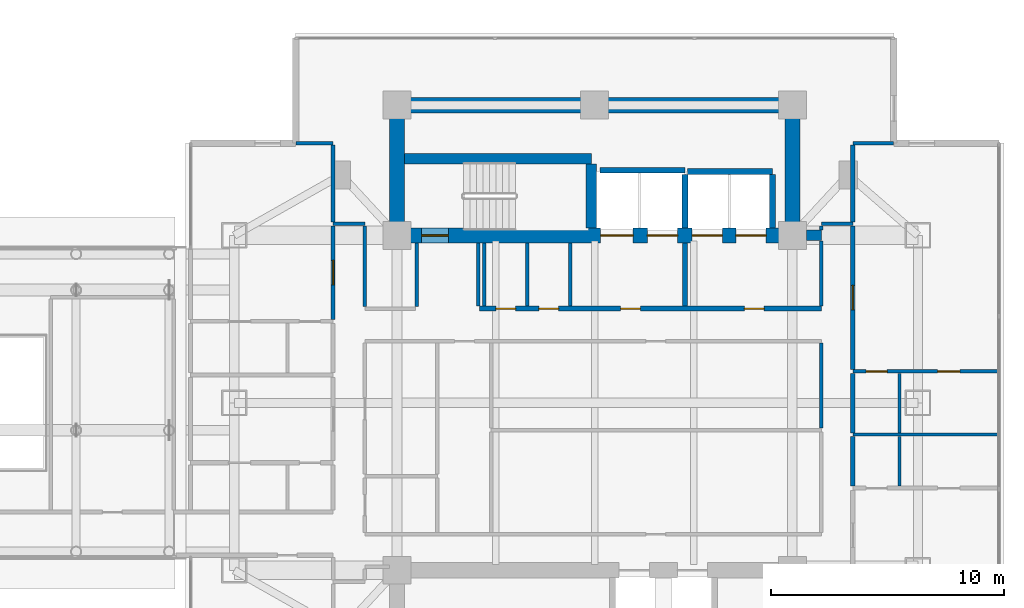
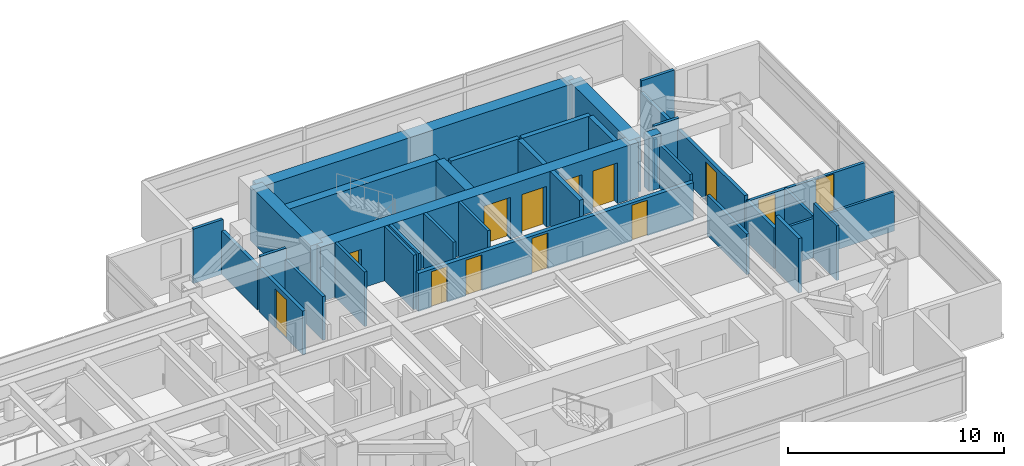
# One storey, part 21 of 28: 36 walls, 13 doors, 13 openings.
"""IFC4 building model written with IfcOpenShell, lengths in metres."""

from ifc_helpers import new_model, si_unit, direction, frame, frame_2d, origin, place, context, subcontext, project, spatial, rectangle, extrude, material, layer, layer_set, type_object, element, fill, save


model = new_model("IFC4")

# Units and contexts
model_context = context("Model", 3, precision=1e-05, world=origin(), true_north=direction((0.0, 1.0)))
body_context = subcontext(model_context, "Body", "Model", "MODEL_VIEW")
ifc_project = project(units=[si_unit("LENGTHUNIT", "METRE"), si_unit("AREAUNIT", "SQUARE_METRE"), si_unit("VOLUMEUNIT", "CUBIC_METRE"), si_unit("PLANEANGLEUNIT", "RADIAN"), si_unit("MASSUNIT", "GRAM", prefix="KILO")], contexts=[model_context])

# Site, building, storey
site_placement = place(None, origin())
site = spatial("IfcSite", under=ifc_project, at=site_placement, CompositionType="ELEMENT")
building_placement = place(site_placement, origin())
building = spatial("IfcBuilding", under=site, at=building_placement, Name="Mirazonda Arch Towers", CompositionType="ELEMENT")
storey_placement = place(building_placement, frame((0.0, 0.0, 91.699951171875)))
storey = spatial("IfcBuildingStorey", under=building, at=storey_placement, Name="L25", CompositionType="ELEMENT", Elevation=91.699951171875)

# Walls
ifc_material_1 = material(Name="Concrete C50/60", Category="concrete")
ifc_layer_1 = layer(ifc_material_1, 0.449951171875, Name="WALL-CORE-450")
ifc_layer_set_1 = layer_set([ifc_layer_1], Name="Concrete C50/60")
wall_type_1 = type_object("IfcWallType", Name="WALL-CORE-450", PredefinedType="SHEAR", material=ifc_layer_set_1)
wall_1_placement = place(storey_placement, frame((85.614990234375, 35.199951171875, 0.0), z_axis=(0.0, 0.0, 1.0), x_axis=(1.0, 0.0, 0.0)))
element("IfcWall", 1, at=wall_1_placement, inside=storey, type_object=wall_type_1, Name="L25 Stair Core Shear Wall 051", PredefinedType="SHEAR", context=body_context, shape_type="SweptSolid", body=[
    extrude(rectangle(XDim=0.635009765625, YDim=0.449951171875, at=frame_2d((0.3173828125, 0.0))), origin(), (0.0, 0.0, 1.0), 3.080078125),
])
wall_2_placement = place(storey_placement, frame((68.320068359375, 38.5, 0.0), z_axis=(0.0, 0.0, 1.0), x_axis=(1.0, 0.0, 0.0)))
element("IfcWall", 2, at=wall_2_placement, inside=storey, type_object=wall_type_1, Name="L25 Stair Core Shear Wall 056", PredefinedType="SHEAR", context=body_context, shape_type="SweptSolid", body=[
    extrude(rectangle(XDim=8.0400390625, YDim=0.449951171875, at=frame_2d((4.02001953125, 0.0))), origin(), (0.0, 0.0, 1.0), 3.080078125),
])
wall_3_placement = place(storey_placement, frame((76.360107421875, 35.52001953125, 0.0), z_axis=(0.0, 0.0, 1.0), x_axis=(0.0, 1.0, 0.0)))
element("IfcWall", 3, at=wall_3_placement, inside=storey, type_object=wall_type_1, Name="L25 Stair Core Shear Wall 156", PredefinedType="SHEAR", context=body_context, shape_type="SweptSolid", body=[
    extrude(rectangle(XDim=2.744873046875, YDim=0.449951171875, at=frame_2d((1.37255859375, 0.0))), origin(), (0.0, 0.0, 1.0), 3.080078125),
])
ifc_material_2 = material(Name="Concrete C60/75", Category="concrete")
ifc_layer_2 = layer(ifc_material_2, 0.64990234375, Name="WALL-CORE-650")
ifc_layer_set_2 = layer_set([ifc_layer_2], Name="Concrete C60/75")
wall_type_2 = type_object("IfcWallType", Name="WALL-CORE-650", PredefinedType="SHEAR", material=ifc_layer_set_2)
wall_4_placement = place(storey_placement, frame((68.0, 40.800048828125, 0.0), z_axis=(0.0, 0.0, 1.0), x_axis=(1.0, 0.0, 0.0)))
element("IfcWall", 4, at=wall_4_placement, inside=storey, type_object=wall_type_2, Name="L25 T2N-N Core Shear Wall", PredefinedType="SHEAR", context=body_context, shape_type="SweptSolid", body=[
    extrude(rectangle(XDim=17.0, YDim=0.64990234375, at=frame_2d((8.5, 0.0))), origin(), (0.0, 0.0, 1.0), 3.080078125),
])
for number, where, z_axis, x_axis, name in (
    (5, (68.0, 35.199951171875, 0.0), (0.0, 0.0, 1.0), (0.0, 1.0, 0.0), "L25 T2N-W Core Shear Wall"),
    (6, (85.0, 35.199951171875, 0.0), (0.0, 0.0, 1.0), (0.0, 1.0, 0.0), "L25 T2N-E Core Shear Wall"),
):
    element("IfcWall", number, at=place(storey_placement, frame(where, z_axis=z_axis, x_axis=x_axis)), inside=storey, type_object=wall_type_2, Name=name, PredefinedType="SHEAR", context=body_context, shape_type="SweptSolid", body=[
        extrude(rectangle(XDim=5.60009765625, YDim=0.64990234375, at=frame_2d((2.800048828125, 0.0))), origin(), (0.0, 0.0, 1.0), 3.080078125),
    ])

# Wall, openings, doors
wall_5_placement = place(storey_placement, frame((68.0, 35.199951171875, 0.0), z_axis=(0.0, 0.0, 1.0), x_axis=(1.0, 0.0, 0.0)))
wall_5 = element("IfcWall", 7, at=wall_5_placement, inside=storey, type_object=wall_type_2, Name="L25 T2N-S Core Shear Wall", PredefinedType="SHEAR", context=body_context, shape_type="SweptSolid", body=[
    extrude(rectangle(XDim=17.0, YDim=0.64990234375, at=frame_2d((8.5, 0.0))), origin(), (0.0, 0.0, 1.0), 3.080078125),
])
opening_1_placement = place(wall_5_placement, frame((1.06005859375, 0.0, 0.0)))
opening_1 = element("IfcOpeningElement", 8, at=opening_1_placement, cuts=wall_5, Name="Opening DR-135", PredefinedType="OPENING", context=body_context, shape_type="SweptSolid", body=[
    extrude(rectangle(XDim=1.14990234375, YDim=2.199951171875, at=frame_2d((0.574951171875, 1.10009765625))), frame((0.0, 0.3349609375, 0.0), z_axis=(0.0, -1.0, 0.0), x_axis=(1.0, 0.0, 0.0)), (0.0, 0.0, 1.0), 0.669921875),
])
opening_2_placement = place(wall_5_placement, frame((8.75, 0.0, 0.0)))
opening_2 = element("IfcOpeningElement", 9, at=opening_2_placement, cuts=wall_5, Name="Opening LD-112", PredefinedType="OPENING", context=body_context, shape_type="SweptSolid", body=[
    extrude(rectangle(XDim=1.39990234375, YDim=2.35009765625, at=frame_2d((0.699951171875, 1.175048828125))), frame((0.0, 0.3349609375, 0.0), z_axis=(0.0, -1.0, 0.0), x_axis=(1.0, 0.0, 0.0)), (0.0, 0.0, 1.0), 0.669921875),
])
opening_3_placement = place(wall_5_placement, frame((10.77001953125, 0.0, 0.0)))
opening_3 = element("IfcOpeningElement", 10, at=opening_3_placement, cuts=wall_5, Name="Opening LD-111", PredefinedType="OPENING", context=body_context, shape_type="SweptSolid", body=[
    extrude(rectangle(XDim=1.300048828125, YDim=2.300048828125, at=frame_2d((0.64990234375, 1.14990234375))), frame((0.0, 0.3349609375, 0.0), z_axis=(0.0, -1.0, 0.0), x_axis=(1.0, 0.0, 0.0)), (0.0, 0.0, 1.0), 0.669921875),
])
opening_4_placement = place(wall_5_placement, frame((12.68994140625, 0.0, 0.0)))
opening_4 = element("IfcOpeningElement", 11, at=opening_4_placement, cuts=wall_5, Name="Opening LD-111", PredefinedType="OPENING", context=body_context, shape_type="SweptSolid", body=[
    extrude(rectangle(XDim=1.300048828125, YDim=2.300048828125, at=frame_2d((0.64990234375, 1.14990234375))), frame((0.0, 0.3349609375, 0.0), z_axis=(0.0, -1.0, 0.0), x_axis=(1.0, 0.0, 0.0)), (0.0, 0.0, 1.0), 0.669921875),
])
opening_5_placement = place(wall_5_placement, frame((14.570068359375, 0.0, 0.0)))
opening_5 = element("IfcOpeningElement", 12, at=opening_5_placement, cuts=wall_5, Name="Opening LD-111", PredefinedType="OPENING", context=body_context, shape_type="SweptSolid", body=[
    extrude(rectangle(XDim=1.300048828125, YDim=2.300048828125, at=frame_2d((0.64990234375, 1.14990234375))), frame((0.0, 0.3349609375, 0.0), z_axis=(0.0, -1.0, 0.0), x_axis=(1.0, 0.0, 0.0)), (0.0, 0.0, 1.0), 0.669921875),
])
ifc_material_3 = material(Name="Architectural Brushed Steel S355", Category="steel")
door_type_1 = type_object("IfcDoorType", Name="DOOR-LIFT-FFL-1400", OperationType="NOTDEFINED", PredefinedType="DOOR", material=ifc_material_3)
door_1_placement = place(opening_2_placement, origin())
door_1 = element("IfcDoor", 13, at=door_1_placement, inside=storey, type_object=door_type_1, Name="L25 Lift Landing Sliding Door FFL-T2", OperationType="DOUBLE_DOOR_SLIDING", OverallHeight=2.35009765625, OverallWidth=1.39990234375, PredefinedType="DOOR", context=body_context, shape_type="SweptSolid", body=[
    extrude(rectangle(XDim=1.39990234375, YDim=2.35009765625, at=frame_2d((0.699951171875, 1.175048828125))), frame((0.0, 0.02490234375, 0.0), z_axis=(0.0, -1.0, 0.0), x_axis=(1.0, 0.0, 0.0)), (0.0, 0.0, 1.0), 0.050048828125),
])
fill(opening_2, door_1)
door_type_2 = type_object("IfcDoorType", Name="DOOR-LIFT-LAND-1300", OperationType="NOTDEFINED", PredefinedType="DOOR", material=ifc_material_3)
door_2_placement = place(opening_3_placement, origin())
door_2 = element("IfcDoor", 14, at=door_2_placement, inside=storey, type_object=door_type_2, Name="L25 Lift Landing Sliding Door SVL-T2", OperationType="DOUBLE_DOOR_SLIDING", OverallHeight=2.300048828125, OverallWidth=1.300048828125, PredefinedType="DOOR", context=body_context, shape_type="SweptSolid", body=[
    extrude(rectangle(XDim=1.300048828125, YDim=2.300048828125, at=frame_2d((0.64990234375, 1.14990234375))), frame((0.0, 0.02490234375, 0.0), z_axis=(0.0, -1.0, 0.0), x_axis=(1.0, 0.0, 0.0)), (0.0, 0.0, 1.0), 0.050048828125),
])
fill(opening_3, door_2)
door_3_placement = place(opening_4_placement, origin())
door_3 = element("IfcDoor", 15, at=door_3_placement, inside=storey, type_object=door_type_2, Name="L25 Lift Landing Sliding Door PL-T2L1", OperationType="DOUBLE_DOOR_SLIDING", OverallHeight=2.300048828125, OverallWidth=1.300048828125, PredefinedType="DOOR", context=body_context, shape_type="SweptSolid", body=[
    extrude(rectangle(XDim=1.300048828125, YDim=2.300048828125, at=frame_2d((0.64990234375, 1.14990234375))), frame((0.0, 0.02490234375, 0.0), z_axis=(0.0, -1.0, 0.0), x_axis=(1.0, 0.0, 0.0)), (0.0, 0.0, 1.0), 0.050048828125),
])
fill(opening_4, door_3)
door_4_placement = place(opening_5_placement, origin())
door_4 = element("IfcDoor", 16, at=door_4_placement, inside=storey, type_object=door_type_2, Name="L25 Lift Landing Sliding Door PL-T2L2", OperationType="DOUBLE_DOOR_SLIDING", OverallHeight=2.300048828125, OverallWidth=1.300048828125, PredefinedType="DOOR", context=body_context, shape_type="SweptSolid", body=[
    extrude(rectangle(XDim=1.300048828125, YDim=2.300048828125, at=frame_2d((0.64990234375, 1.14990234375))), frame((0.0, 0.02490234375, 0.0), z_axis=(0.0, -1.0, 0.0), x_axis=(1.0, 0.0, 0.0)), (0.0, 0.0, 1.0), 0.050048828125),
])
fill(opening_5, door_4)
door_type_3 = type_object("IfcDoorType", Name="DOOR-STAIR-FD90-1150", OperationType="NOTDEFINED", PredefinedType="DOOR", material=ifc_material_3)
door_5_placement = place(opening_1_placement, origin())
door_5 = element("IfcDoor", 17, at=door_5_placement, inside=storey, type_object=door_type_3, Name="L25 East Protected Stair North Door", OperationType="SINGLE_SWING_LEFT", OverallHeight=2.199951171875, OverallWidth=1.14990234375, PredefinedType="DOOR", context=body_context, shape_type="SweptSolid", body=[
    extrude(rectangle(XDim=1.14990234375, YDim=2.199951171875, at=frame_2d((0.574951171875, 1.10009765625))), frame((0.0, 0.02490234375, 0.0), z_axis=(0.0, -1.0, 0.0), x_axis=(1.0, 0.0, 0.0)), (0.0, 0.0, 1.0), 0.050048828125),
])
fill(opening_1, door_5)

ifc_material_4 = material(Name="Concrete C40/50", Category="concrete")
ifc_layer_3 = layer(ifc_material_4, 0.219970703125, Name="WALL-FFL-220")
ifc_layer_set_3 = layer_set([ifc_layer_3], Name="Concrete C40/50")
wall_type_3 = type_object("IfcWallType", Name="WALL-FFL-220", PredefinedType="SOLIDWALL", material=ifc_layer_set_3)
wall_6_placement = place(storey_placement, frame((71.550048828125, 32.050048828125, 0.0), z_axis=(0.0, 0.0, 1.0), x_axis=(1.0, 0.0, 0.0)))
wall_6 = element("IfcWall", 18, at=wall_6_placement, inside=storey, type_object=wall_type_3, Name="L25 Interior Partition 042", PredefinedType="SOLIDWALL", context=body_context, shape_type="SweptSolid", body=[
    extrude(rectangle(XDim=14.699951171875, YDim=0.219970703125, at=frame_2d((7.35009765625, 0.0))), origin(), (0.0, 0.0, 1.0), 2.14501953125),
])
opening_6_placement = place(wall_6_placement, frame((11.389892578125, 0.0, 0.0)))
opening_6 = element("IfcOpeningElement", 19, at=opening_6_placement, cuts=wall_6, Name="Opening DR-128", PredefinedType="OPENING", context=body_context, shape_type="SweptSolid", body=[
    extrude(rectangle(XDim=0.85009765625, YDim=2.010009765625, at=frame_2d((0.425048828125, 1.0048828125))), frame((0.0, 0.119873046875, 0.0), z_axis=(0.0, -1.0, 0.0), x_axis=(1.0, 0.0, 0.0)), (0.0, 0.0, 1.0), 0.239990234375),
])
opening_7_placement = place(wall_6_placement, frame((6.06494140625, 0.0, 0.0)))
opening_7 = element("IfcOpeningElement", 20, at=opening_7_placement, cuts=wall_6, Name="Opening DR-128", PredefinedType="OPENING", context=body_context, shape_type="SweptSolid", body=[
    extrude(rectangle(XDim=0.85009765625, YDim=2.010009765625, at=frame_2d((0.425048828125, 1.0048828125))), frame((0.0, 0.119873046875, 0.0), z_axis=(0.0, -1.0, 0.0), x_axis=(1.0, 0.0, 0.0)), (0.0, 0.0, 1.0), 0.239990234375),
])
opening_8_placement = place(wall_6_placement, frame((0.699951171875, 0.0, 0.0)))
opening_8 = element("IfcOpeningElement", 21, at=opening_8_placement, cuts=wall_6, Name="Opening DR-128", PredefinedType="OPENING", context=body_context, shape_type="SweptSolid", body=[
    extrude(rectangle(XDim=0.85009765625, YDim=2.010009765625, at=frame_2d((0.425048828125, 1.0048828125))), frame((0.0, 0.119873046875, 0.0), z_axis=(0.0, -1.0, 0.0), x_axis=(1.0, 0.0, 0.0)), (0.0, 0.0, 1.0), 0.239990234375),
])
opening_9_placement = place(wall_6_placement, frame((2.550048828125, 0.0, 0.0)))
opening_9 = element("IfcOpeningElement", 22, at=opening_9_placement, cuts=wall_6, Name="Opening DR-128", PredefinedType="OPENING", context=body_context, shape_type="SweptSolid", body=[
    extrude(rectangle(XDim=0.85009765625, YDim=2.010009765625, at=frame_2d((0.425048828125, 1.0048828125))), frame((0.0, 0.119873046875, 0.0), z_axis=(0.0, -1.0, 0.0), x_axis=(1.0, 0.0, 0.0)), (0.0, 0.0, 1.0), 0.239990234375),
])
door_type_4 = type_object("IfcDoorType", Name="DOOR-RISER-FD60-850", OperationType="NOTDEFINED", PredefinedType="DOOR", material=ifc_material_3)
door_6_placement = place(opening_6_placement, origin())
door_6 = element("IfcDoor", 23, at=door_6_placement, inside=storey, type_object=door_type_4, Name="L25 East Passenger Lift Lobby Door", OperationType="SINGLE_SWING_RIGHT", OverallHeight=2.010009765625, OverallWidth=0.85009765625, PredefinedType="DOOR", context=body_context, shape_type="SweptSolid", body=[
    extrude(rectangle(XDim=0.85009765625, YDim=2.010009765625, at=frame_2d((0.425048828125, 1.0048828125))), frame((0.0, 0.02490234375, 0.0), z_axis=(0.0, -1.0, 0.0), x_axis=(1.0, 0.0, 0.0)), (0.0, 0.0, 1.0), 0.050048828125),
])
fill(opening_6, door_6)
door_7_placement = place(opening_7_placement, origin())
door_7 = element("IfcDoor", 24, at=door_7_placement, inside=storey, type_object=door_type_4, Name="L25 East Firefighting Lift Lobby Door", OperationType="SINGLE_SWING_RIGHT", OverallHeight=2.010009765625, OverallWidth=0.85009765625, PredefinedType="DOOR", context=body_context, shape_type="SweptSolid", body=[
    extrude(rectangle(XDim=0.85009765625, YDim=2.010009765625, at=frame_2d((0.425048828125, 1.0048828125))), frame((0.0, 0.02490234375, 0.0), z_axis=(0.0, -1.0, 0.0), x_axis=(1.0, 0.0, 0.0)), (0.0, 0.0, 1.0), 0.050048828125),
])
fill(opening_7, door_7)
door_8_placement = place(opening_8_placement, origin())
door_8 = element("IfcDoor", 25, at=door_8_placement, inside=storey, type_object=door_type_4, Name="L25 Tower 2 Electrical Room Door", OperationType="SINGLE_SWING_LEFT", OverallHeight=2.010009765625, OverallWidth=0.85009765625, PredefinedType="DOOR", context=body_context, shape_type="SweptSolid", body=[
    extrude(rectangle(XDim=0.85009765625, YDim=2.010009765625, at=frame_2d((0.425048828125, 1.0048828125))), frame((0.0, 0.02490234375, 0.0), z_axis=(0.0, -1.0, 0.0), x_axis=(1.0, 0.0, 0.0)), (0.0, 0.0, 1.0), 0.050048828125),
])
fill(opening_8, door_8)
door_9_placement = place(opening_9_placement, origin())
door_9 = element("IfcDoor", 26, at=door_9_placement, inside=storey, type_object=door_type_4, Name="L25 Tower 2 Cleaners Store Door", OperationType="SINGLE_SWING_RIGHT", OverallHeight=2.010009765625, OverallWidth=0.85009765625, PredefinedType="DOOR", context=body_context, shape_type="SweptSolid", body=[
    extrude(rectangle(XDim=0.85009765625, YDim=2.010009765625, at=frame_2d((0.425048828125, 1.0048828125))), frame((0.0, 0.02490234375, 0.0), z_axis=(0.0, -1.0, 0.0), x_axis=(1.0, 0.0, 0.0)), (0.0, 0.0, 1.0), 0.050048828125),
])
fill(opening_9, door_9)

# Wall
wall_7_placement = place(storey_placement, frame((80.3798828125, 32.169921875, 0.0), z_axis=(0.0, 0.0, 1.0), x_axis=(0.0, 1.0, 0.0)))
element("IfcWall", 27, at=wall_7_placement, inside=storey, type_object=wall_type_3, Name="L25 Interior Partition 158", PredefinedType="SOLIDWALL", context=body_context, shape_type="SweptSolid", body=[
    extrude(rectangle(XDim=2.7099609375, YDim=0.219970703125, at=frame_2d((1.35498046875, 0.0))), origin(), (0.0, 0.0, 1.0), 3.080078125),
])

# Wall, openings, doors
ifc_material_5 = material(Name="Fire-Rated Gypsum Stud Partition")
ifc_layer_4 = layer(ifc_material_5, 0.14990234375, Name="WALL-PART-CORR-150")
ifc_layer_set_4 = layer_set([ifc_layer_4], Name="Fire-Rated Gypsum Stud Partition")
wall_type_4 = type_object("IfcWallType", Name="WALL-PART-CORR-150", PredefinedType="PARTITIONING", material=ifc_layer_set_4)
wall_8_placement = place(storey_placement, frame((87.60009765625, 29.35205078125, 0.0), z_axis=(0.0, 0.0, 1.0), x_axis=(1.0, 0.0, 0.0)))
wall_8 = element("IfcWall", 28, at=wall_8_placement, inside=storey, type_object=wall_type_4, Name="L25 Interior Partition 036", PredefinedType="PARTITIONING", context=body_context, shape_type="SweptSolid", body=[
    extrude(rectangle(XDim=6.27978515625, YDim=0.14990234375, at=frame_2d((3.139892578125, 0.0))), origin(), (0.0, 0.0, 1.0), 2.216064453125),
])
opening_10_placement = place(wall_8_placement, frame((3.64990234375, 0.0, 0.0)))
opening_10 = element("IfcOpeningElement", 29, at=opening_10_placement, cuts=wall_8, Name="Opening DR-104", PredefinedType="OPENING", context=body_context, shape_type="SweptSolid", body=[
    extrude(rectangle(XDim=0.949951171875, YDim=2.14990234375, at=frame_2d((0.47509765625, 1.074951171875))), frame((0.0, 0.0849609375, 0.0), z_axis=(0.0, -1.0, 0.0), x_axis=(1.0, 0.0, 0.0)), (0.0, 0.0, 1.0), 0.169921875),
])
opening_11_placement = place(wall_8_placement, frame((0.574951171875, 0.0, 0.0)))
opening_11 = element("IfcOpeningElement", 30, at=opening_11_placement, cuts=wall_8, Name="Opening DR-120", PredefinedType="OPENING", context=body_context, shape_type="SweptSolid", body=[
    extrude(rectangle(XDim=0.89990234375, YDim=2.10009765625, at=frame_2d((0.449951171875, 1.050048828125))), frame((0.0, 0.0849609375, 0.0), z_axis=(0.0, -1.0, 0.0), x_axis=(1.0, 0.0, 0.0)), (0.0, 0.0, 1.0), 0.169921875),
])
door_type_5 = type_object("IfcDoorType", Name="DOOR-ROOM-950", OperationType="NOTDEFINED", PredefinedType="DOOR", material=ifc_material_3)
door_10_placement = place(opening_10_placement, origin())
door_10 = element("IfcDoor", 31, at=door_10_placement, inside=storey, type_object=door_type_5, Name="L25 Suite Bedroom 2 Door", OperationType="SINGLE_SWING_LEFT", OverallHeight=2.14990234375, OverallWidth=0.949951171875, PredefinedType="DOOR", context=body_context, shape_type="SweptSolid", body=[
    extrude(rectangle(XDim=0.949951171875, YDim=2.14990234375, at=frame_2d((0.47509765625, 1.074951171875))), frame((0.0, 0.02490234375, 0.0), z_axis=(0.0, -1.0, 0.0), x_axis=(1.0, 0.0, 0.0)), (0.0, 0.0, 1.0), 0.050048828125),
])
fill(opening_10, door_10)
door_type_6 = type_object("IfcDoorType", Name="DOOR-WC-900", OperationType="NOTDEFINED", PredefinedType="DOOR", material=ifc_material_3)
door_11_placement = place(opening_11_placement, origin())
door_11 = element("IfcDoor", 32, at=door_11_placement, inside=storey, type_object=door_type_6, Name="L25 Suite En-Suite Bathroom 2 Door", OperationType="SINGLE_SWING_RIGHT", OverallHeight=2.10009765625, OverallWidth=0.89990234375, PredefinedType="DOOR", context=body_context, shape_type="SweptSolid", body=[
    extrude(rectangle(XDim=0.89990234375, YDim=2.10009765625, at=frame_2d((0.449951171875, 1.050048828125))), frame((0.0, 0.02490234375, 0.0), z_axis=(0.0, -1.0, 0.0), x_axis=(1.0, 0.0, 0.0)), (0.0, 0.0, 1.0), 0.050048828125),
])
fill(opening_11, door_11)

# Walls
wall_9_placement = place(storey_placement, frame((65.25, 35.699951171875, 0.0), z_axis=(0.0, 0.0, 1.0), x_axis=(1.0, 0.0, 0.0)))
element("IfcWall", 33, at=wall_9_placement, inside=storey, type_object=wall_type_4, Name="L25 Interior Partition 052", PredefinedType="PARTITIONING", context=body_context, shape_type="SweptSolid", body=[
    extrude(rectangle(XDim=1.3701171875, YDim=0.14990234375, at=frame_2d((0.68505859375, 0.0))), origin(), (0.0, 0.0, 1.0), 3.080078125),
])
wall_10_placement = place(storey_placement, frame((86.25, 35.699951171875, 0.0), z_axis=(0.0, 0.0, 1.0), x_axis=(1.0, 0.0, 0.0)))
element("IfcWall", 34, at=wall_10_placement, inside=storey, type_object=wall_type_4, Name="L25 Interior Partition 053", PredefinedType="PARTITIONING", context=body_context, shape_type="SweptSolid", body=[
    extrude(rectangle(XDim=1.35009765625, YDim=0.14990234375, at=frame_2d((0.675048828125, 0.0))), origin(), (0.0, 0.0, 1.0), 3.080078125),
])
wall_11_placement = place(storey_placement, frame((63.65576171875, 39.1640625, 0.0), z_axis=(0.0, 0.0, 1.0), x_axis=(1.0, 0.0, 0.0)))
element("IfcWall", 35, at=wall_11_placement, inside=storey, type_object=wall_type_4, Name="L25 Interior Partition 057", PredefinedType="PARTITIONING", context=body_context, shape_type="SweptSolid", body=[
    extrude(rectangle(XDim=1.59423828125, YDim=0.14990234375, at=frame_2d((0.797119140625, 0.0))), origin(), (0.0, 0.0, 1.0), 3.080078125),
])
wall_12_placement = place(storey_placement, frame((87.60009765625, 39.1640625, 0.0), z_axis=(0.0, 0.0, 1.0), x_axis=(1.0, 0.0, 0.0)))
element("IfcWall", 36, at=wall_12_placement, inside=storey, type_object=wall_type_4, Name="L25 Interior Partition 058", PredefinedType="PARTITIONING", context=body_context, shape_type="SweptSolid", body=[
    extrude(rectangle(XDim=1.744140625, YDim=0.14990234375, at=frame_2d((0.8720703125, 0.0))), origin(), (0.0, 0.0, 1.0), 3.080078125),
])
wall_13_placement = place(storey_placement, frame((66.6201171875, 32.135009765625, 0.0), z_axis=(0.0, 0.0, 1.0), x_axis=(0.0, 1.0, 0.0)))
element("IfcWall", 37, at=wall_13_placement, inside=storey, type_object=wall_type_4, Name="L25 Interior Partition 145", PredefinedType="PARTITIONING", context=body_context, shape_type="SweptSolid", body=[
    extrude(rectangle(XDim=3.47998046875, YDim=0.14990234375, at=frame_2d((1.739990234375, 0.0))), origin(), (0.0, 0.0, 1.0), 2.47216796875),
])
wall_14_placement = place(storey_placement, frame((68.85009765625, 32.135009765625, 0.0), z_axis=(0.0, 0.0, 1.0), x_axis=(0.0, 1.0, 0.0)))
element("IfcWall", 38, at=wall_14_placement, inside=storey, type_object=wall_type_4, Name="L25 Interior Partition 146", PredefinedType="PARTITIONING", context=body_context, shape_type="SweptSolid", body=[
    extrude(rectangle(XDim=2.744873046875, YDim=0.14990234375, at=frame_2d((1.37255859375, 0.0))), origin(), (0.0, 0.0, 1.0), 3.080078125),
])
for number, where, z_axis, x_axis, name in (
    (39, (71.5, 32.169921875, 0.0), (0.0, 0.0, 1.0), (0.0, 1.0, 0.0), "L25 Interior Partition 149"),
    (40, (71.75, 32.169921875, 0.0), (0.0, 0.0, 1.0), (0.0, 1.0, 0.0), "L25 Interior Partition 150"),
    (41, (73.60009765625, 32.169921875, 0.0), (0.0, 0.0, 1.0), (0.0, 1.0, 0.0), "L25 Interior Partition 153"),
    (42, (75.449951171875, 32.169921875, 0.0), (0.0, 0.0, 1.0), (0.0, 1.0, 0.0), "L25 Interior Partition 154"),
):
    element("IfcWall", number, at=place(storey_placement, frame(where, z_axis=z_axis, x_axis=x_axis)), inside=storey, type_object=wall_type_4, Name=name, PredefinedType="PARTITIONING", context=body_context, shape_type="SweptSolid", body=[
        extrude(rectangle(XDim=2.7099609375, YDim=0.14990234375, at=frame_2d((1.35498046875, 0.0))), origin(), (0.0, 0.0, 1.0), 3.080078125),
    ])
wall_15_placement = place(storey_placement, frame((86.25, 26.9169921875, 0.0), z_axis=(0.0, 0.0, 1.0), x_axis=(0.0, 1.0, 0.0)))
element("IfcWall", 43, at=wall_15_placement, inside=storey, type_object=wall_type_4, Name="L25 Interior Partition 164", PredefinedType="PARTITIONING", context=body_context, shape_type="SweptSolid", body=[
    extrude(rectangle(XDim=3.64794921875, YDim=0.14990234375, at=frame_2d((1.823974609375, 0.0))), origin(), (0.0, 0.0, 1.0), 2.299072265625),
])
wall_16_placement = place(storey_placement, frame((86.25, 32.169921875, 0.0), z_axis=(0.0, 0.0, 1.0), x_axis=(0.0, 1.0, 0.0)))
element("IfcWall", 44, at=wall_16_placement, inside=storey, type_object=wall_type_4, Name="L25 Interior Partition 165", PredefinedType="PARTITIONING", context=body_context, shape_type="SweptSolid", body=[
    extrude(rectangle(XDim=2.795166015625, YDim=0.14990234375, at=frame_2d((1.3974609375, 0.0))), origin(), (0.0, 0.0, 1.0), 2.47216796875),
])
wall_17_placement = place(storey_placement, frame((86.25, 35.43505859375, 0.0), z_axis=(0.0, 0.0, 1.0), x_axis=(0.0, 1.0, 0.0)))
element("IfcWall", 45, at=wall_17_placement, inside=storey, type_object=wall_type_4, Name="L25 Interior Partition 166", PredefinedType="PARTITIONING", context=body_context, shape_type="SweptSolid", body=[
    extrude(rectangle(XDim=0.179931640625, YDim=0.14990234375, at=frame_2d((0.08984375, 0.0))), origin(), (0.0, 0.0, 1.0), 2.47216796875),
])

# Wall, opening, door
ifc_material_6 = material(Name="Fire-Rated Gypsum Twin-Stud Assembly")
ifc_layer_5 = layer(ifc_material_6, 0.179931640625, Name="WALL-PART-DEMISE-180")
ifc_layer_set_5 = layer_set([ifc_layer_5], Name="Fire-Rated Gypsum Twin-Stud Assembly")
wall_type_5 = type_object("IfcWallType", Name="WALL-PART-DEMISE-180", PredefinedType="PARTITIONING", material=ifc_layer_set_5)
wall_18_placement = place(storey_placement, frame((65.25, 31.5849609375, 0.0), z_axis=(0.0, 0.0, 1.0), x_axis=(0.0, 1.0, 0.0)))
wall_18 = element("IfcWall", 46, at=wall_18_placement, inside=storey, type_object=wall_type_5, Name="L25 Interior Partition 140", PredefinedType="PARTITIONING", context=body_context, shape_type="SweptSolid", body=[
    extrude(rectangle(XDim=4.030029296875, YDim=0.179931640625, at=frame_2d((2.01513671875, 0.0))), origin(), (0.0, 0.0, 1.0), 2.47216796875),
])
opening_12_placement = place(wall_18_placement, frame((1.489990234375, 0.0, 0.0)))
opening_12 = element("IfcOpeningElement", 47, at=opening_12_placement, cuts=wall_18, Name="Opening DR-121", PredefinedType="OPENING", context=body_context, shape_type="SweptSolid", body=[
    extrude(rectangle(XDim=1.050048828125, YDim=2.199951171875, at=frame_2d((0.52490234375, 1.10009765625))), frame((0.0, 0.099853515625, 0.0), z_axis=(0.0, -1.0, 0.0), x_axis=(1.0, 0.0, 0.0)), (0.0, 0.0, 1.0), 0.199951171875),
])
door_type_7 = type_object("IfcDoorType", Name="DOOR-SUITE-FD60-1050", OperationType="NOTDEFINED", PredefinedType="DOOR", material=ifc_material_3)
door_12_placement = place(opening_12_placement, origin())
door_12 = element("IfcDoor", 48, at=door_12_placement, inside=storey, type_object=door_type_7, Name="L25 Twin Hotel Guestroom 2 Door", OperationType="SINGLE_SWING_RIGHT", OverallHeight=2.199951171875, OverallWidth=1.050048828125, PredefinedType="DOOR", context=body_context, shape_type="SweptSolid", body=[
    extrude(rectangle(XDim=1.050048828125, YDim=2.199951171875, at=frame_2d((0.52490234375, 1.10009765625))), frame((0.0, 0.02490234375, 0.0), z_axis=(0.0, -1.0, 0.0), x_axis=(1.0, 0.0, 0.0)), (0.0, 0.0, 1.0), 0.050048828125),
])
fill(opening_12, door_12)

# Walls
wall_19_placement = place(storey_placement, frame((65.25, 35.784912109375, 0.0), z_axis=(0.0, 0.0, 1.0), x_axis=(0.0, 1.0, 0.0)))
element("IfcWall", 49, at=wall_19_placement, inside=storey, type_object=wall_type_5, Name="L25 Interior Partition 141", PredefinedType="PARTITIONING", context=body_context, shape_type="SweptSolid", body=[
    extrude(rectangle(XDim=3.294189453125, YDim=0.179931640625, at=frame_2d((1.64697265625, 0.0))), origin(), (0.0, 0.0, 1.0), 2.4560546875),
])
wall_20_placement = place(storey_placement, frame((87.60009765625, 24.431884765625, 0.0), z_axis=(0.0, 0.0, 1.0), x_axis=(0.0, 1.0, 0.0)))
element("IfcWall", 50, at=wall_20_placement, inside=storey, type_object=wall_type_5, Name="L25 Interior Partition 169", PredefinedType="PARTITIONING", context=body_context, shape_type="SweptSolid", body=[
    extrude(rectangle(XDim=2.127685546875, YDim=0.179931640625, at=frame_2d((1.06396484375, 0.0))), origin(), (0.0, 0.0, 1.0), 3.080078125),
])
wall_21_placement = place(storey_placement, frame((87.60009765625, 26.70458984375, 0.0), z_axis=(0.0, 0.0, 1.0), x_axis=(0.0, 1.0, 0.0)))
element("IfcWall", 51, at=wall_21_placement, inside=storey, type_object=wall_type_5, Name="L25 Interior Partition 170", PredefinedType="PARTITIONING", context=body_context, shape_type="SweptSolid", body=[
    extrude(rectangle(XDim=2.5625, YDim=0.179931640625, at=frame_2d((1.28125, 0.0))), origin(), (0.0, 0.0, 1.0), 2.299072265625),
])

# Wall, opening, door
wall_22_placement = place(storey_placement, frame((87.60009765625, 29.43701171875, 0.0), z_axis=(0.0, 0.0, 1.0), x_axis=(0.0, 1.0, 0.0)))
wall_22 = element("IfcWall", 52, at=wall_22_placement, inside=storey, type_object=wall_type_5, Name="L25 Interior Partition 171", PredefinedType="PARTITIONING", context=body_context, shape_type="SweptSolid", body=[
    extrude(rectangle(XDim=6.177978515625, YDim=0.179931640625, at=frame_2d((3.0888671875, 0.0))), origin(), (0.0, 0.0, 1.0), 2.47216796875),
])
opening_13_placement = place(wall_22_placement, frame((2.56396484375, 0.0, 0.0)))
opening_13 = element("IfcOpeningElement", 53, at=opening_13_placement, cuts=wall_22, Name="Opening DR-121", PredefinedType="OPENING", context=body_context, shape_type="SweptSolid", body=[
    extrude(rectangle(XDim=1.050048828125, YDim=2.199951171875, at=frame_2d((0.52490234375, 1.10009765625))), frame((0.0, 0.099853515625, 0.0), z_axis=(0.0, -1.0, 0.0), x_axis=(1.0, 0.0, 0.0)), (0.0, 0.0, 1.0), 0.199951171875),
])
door_13_placement = place(opening_13_placement, origin())
door_13 = element("IfcDoor", 54, at=door_13_placement, inside=storey, type_object=door_type_7, Name="L25 Deluxe Suite Living Room 2 Door", OperationType="SINGLE_SWING_RIGHT", OverallHeight=2.199951171875, OverallWidth=1.050048828125, PredefinedType="DOOR", context=body_context, shape_type="SweptSolid", body=[
    extrude(rectangle(XDim=1.050048828125, YDim=2.199951171875, at=frame_2d((0.52490234375, 1.10009765625))), frame((0.0, 0.02490234375, 0.0), z_axis=(0.0, -1.0, 0.0), x_axis=(1.0, 0.0, 0.0)), (0.0, 0.0, 1.0), 0.050048828125),
])
fill(opening_13, door_13)

# Walls
wall_23_placement = place(storey_placement, frame((87.60009765625, 35.784912109375, 0.0), z_axis=(0.0, 0.0, 1.0), x_axis=(0.0, 1.0, 0.0)))
element("IfcWall", 55, at=wall_23_placement, inside=storey, type_object=wall_type_5, Name="L25 Interior Partition 172", PredefinedType="PARTITIONING", context=body_context, shape_type="SweptSolid", body=[
    extrude(rectangle(XDim=3.294189453125, YDim=0.179931640625, at=frame_2d((1.64697265625, 0.0))), origin(), (0.0, 0.0, 1.0), 2.4560546875),
])
ifc_material_7 = material(Name="Acoustic Fire-Rated Gypsum Partition")
ifc_layer_6 = layer(ifc_material_7, 0.125, Name="WALL-PART-UNIT-125")
ifc_layer_set_6 = layer_set([ifc_layer_6], Name="Acoustic Fire-Rated Gypsum Partition")
wall_type_6 = type_object("IfcWallType", Name="WALL-PART-UNIT-125", PredefinedType="PARTITIONING", material=ifc_layer_set_6)
wall_24_placement = place(storey_placement, frame((87.60009765625, 26.632080078125, 0.0), z_axis=(0.0, 0.0, 1.0), x_axis=(1.0, 0.0, 0.0)))
element("IfcWall", 56, at=wall_24_placement, inside=storey, type_object=wall_type_6, Name="L25 Interior Partition 031", PredefinedType="PARTITIONING", context=body_context, shape_type="SweptSolid", body=[
    extrude(rectangle(XDim=6.27978515625, YDim=0.125, at=frame_2d((3.139892578125, 0.0))), origin(), (0.0, 0.0, 1.0), 2.216064453125),
])
wall_25_placement = place(storey_placement, frame((89.610107421875, 24.431884765625, 0.0), z_axis=(0.0, 0.0, 1.0), x_axis=(0.0, 1.0, 0.0)))
element("IfcWall", 57, at=wall_25_placement, inside=storey, type_object=wall_type_6, Name="L25 Interior Partition 173", PredefinedType="PARTITIONING", context=body_context, shape_type="SweptSolid", body=[
    extrude(rectangle(XDim=2.127685546875, YDim=0.125, at=frame_2d((1.06396484375, 0.0))), origin(), (0.0, 0.0, 1.0), 3.080078125),
])
wall_26_placement = place(storey_placement, frame((89.610107421875, 26.70458984375, 0.0), z_axis=(0.0, 0.0, 1.0), x_axis=(0.0, 1.0, 0.0)))
element("IfcWall", 58, at=wall_26_placement, inside=storey, type_object=wall_type_6, Name="L25 Interior Partition 174", PredefinedType="PARTITIONING", context=body_context, shape_type="SweptSolid", body=[
    extrude(rectangle(XDim=2.5625, YDim=0.125, at=frame_2d((1.28125, 0.0))), origin(), (0.0, 0.0, 1.0), 2.299072265625),
])
ifc_layer_7 = layer(ifc_material_4, 0.25, Name="WALL-SHAFT-250")
ifc_layer_set_7 = layer_set([ifc_layer_7], Name="Concrete C40/50")
wall_type_7 = type_object("IfcWallType", Name="WALL-SHAFT-250", PredefinedType="SOLIDWALL", material=ifc_layer_set_7)
wall_27_placement = place(storey_placement, frame((80.5, 37.949951171875, 0.0), z_axis=(0.0, 0.0, 1.0), x_axis=(1.0, 0.0, 0.0)))
element("IfcWall", 59, at=wall_27_placement, inside=storey, type_object=wall_type_7, Name="L25 Interior Partition 054", PredefinedType="SOLIDWALL", context=body_context, shape_type="SweptSolid", body=[
    extrude(rectangle(XDim=3.64990234375, YDim=0.25, at=frame_2d((1.824951171875, 0.0))), origin(), (0.0, 0.0, 1.0), 3.080078125),
])
wall_28_placement = place(storey_placement, frame((76.719970703125, 38.0, 0.0), z_axis=(0.0, 0.0, 1.0), x_axis=(1.0, 0.0, 0.0)))
element("IfcWall", 60, at=wall_28_placement, inside=storey, type_object=wall_type_7, Name="L25 Interior Partition 055", PredefinedType="SOLIDWALL", context=body_context, shape_type="SweptSolid", body=[
    extrude(rectangle(XDim=3.659912109375, YDim=0.25, at=frame_2d((1.830078125, 0.0))), origin(), (0.0, 0.0, 1.0), 3.080078125),
])
for number, where, z_axis, x_axis, name in (
    (61, (80.3798828125, 35.52001953125, 0.0), (0.0, 0.0, 1.0), (0.0, 1.0, 0.0), "L25 Interior Partition 159"),
    (62, (84.14990234375, 35.52001953125, 0.0), (0.0, 0.0, 1.0), (0.0, 1.0, 0.0), "L25 Interior Partition 161"),
):
    element("IfcWall", number, at=place(storey_placement, frame(where, z_axis=z_axis, x_axis=x_axis)), inside=storey, type_object=wall_type_7, Name=name, PredefinedType="SOLIDWALL", context=body_context, shape_type="SweptSolid", body=[
        extrude(rectangle(XDim=2.294921875, YDim=0.25, at=frame_2d((1.1474609375, 0.0))), origin(), (0.0, 0.0, 1.0), 3.080078125),
    ])

save(model, "model.ifc")
